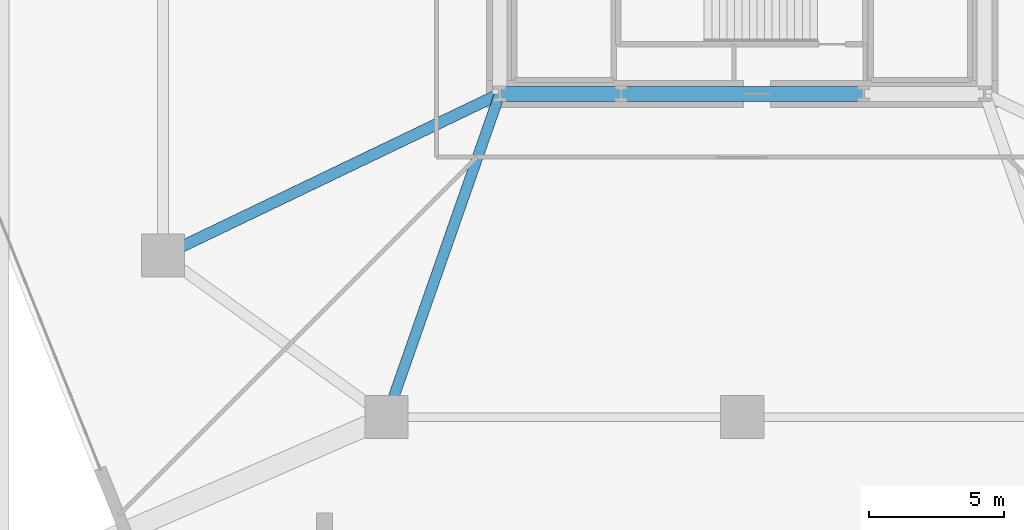
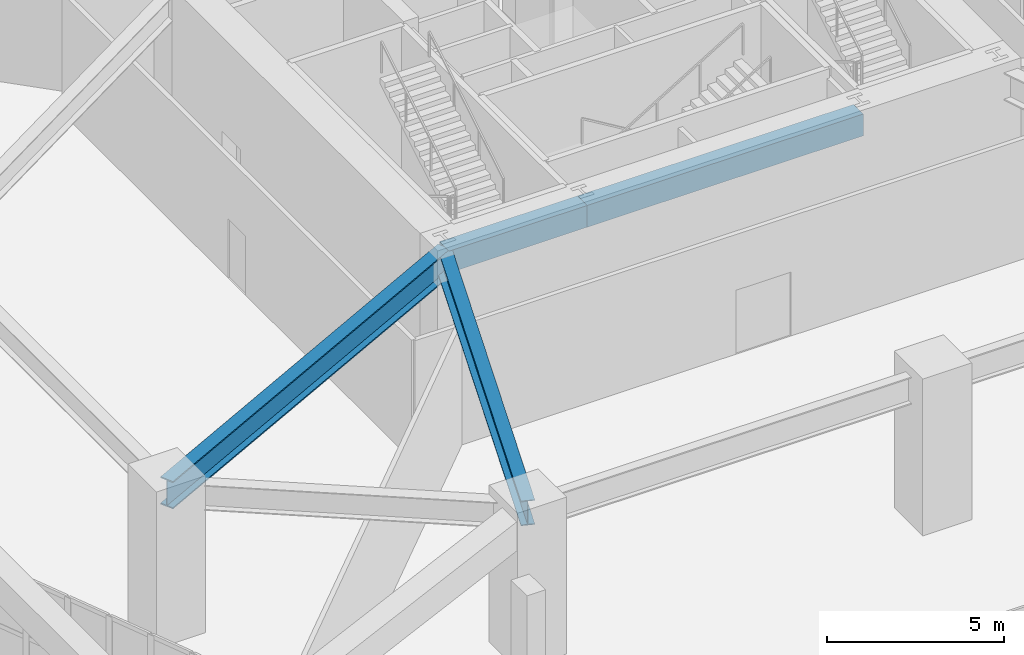
# One storey, part 6 of 34: 4 beams.
"""IFC4 building model written with IfcOpenShell, lengths in metres."""

from ifc_helpers import new_model, si_unit, direction, frame, origin, origin_2d, place, context, subcontext, project, spatial, rectangle, i_section, extrude, material, material_profile, profile_set, type_object, element, save


model = new_model("IFC4")

# Units and contexts
model_context = context("Model", 3, precision=1e-05, world=origin(), true_north=direction((0.0, 1.0)))
body_context = subcontext(model_context, "Body", "Model", "MODEL_VIEW")
ifc_project = project(units=[si_unit("LENGTHUNIT", "METRE"), si_unit("AREAUNIT", "SQUARE_METRE"), si_unit("VOLUMEUNIT", "CUBIC_METRE"), si_unit("PLANEANGLEUNIT", "RADIAN"), si_unit("MASSUNIT", "GRAM", prefix="KILO")], contexts=[model_context])

# Site, building, storey
site_placement = place(None, origin())
site = spatial("IfcSite", under=ifc_project, at=site_placement, CompositionType="ELEMENT")
building_placement = place(site_placement, origin())
building = spatial("IfcBuilding", under=site, at=building_placement, Name="Kilnhurst Terrace Hotel", CompositionType="ELEMENT")
storey_placement = place(building_placement, frame((0.0, 0.0, 6.0)))
storey = spatial("IfcBuildingStorey", under=building, at=storey_placement, Name="L01", CompositionType="ELEMENT", Elevation=6.0)

# Beams
ifc_material_1 = material(Name="Concrete C50/60", Category="concrete")
ifc_material_profile_1 = material_profile(ifc_material_1, rectangle(XDim=0.550048828125, YDim=0.75, at=origin_2d()), Name="RC550X750")
ifc_profile_set_1 = profile_set([ifc_material_profile_1], Name="Concrete C50/60")
beam_type_1 = type_object("IfcBeamType", Name="BM-SPN-550X750", PredefinedType="SPANDREL", material=ifc_profile_set_1)
beam_1_placement = place(storey_placement, frame((-9.0, -7.5, 4.705078125), z_axis=(1.0, 0.0, 0.0), x_axis=(0.0, 1.0, 0.0)))
element("IfcBeam", 1, at=beam_1_placement, inside=storey, type_object=beam_type_1, Name="L01 Core Tie Beam CC-SW to CC-SC1", PredefinedType="SPANDREL", context=body_context, shape_type="SweptSolid", body=[
    extrude(rectangle(XDim=0.550048828125, YDim=0.75, at=origin_2d()), origin(), (0.0, 0.0, 1.0), 4.5),
])
beam_2_placement = place(storey_placement, frame((-4.5, -7.5, 4.705078125), z_axis=(1.0, 0.0, 0.0), x_axis=(0.0, 1.0, 0.0)))
element("IfcBeam", 2, at=beam_2_placement, inside=storey, type_object=beam_type_1, Name="L01 Core Tie Beam CC-SC1 to CC-SC2", PredefinedType="SPANDREL", context=body_context, shape_type="SweptSolid", body=[
    extrude(rectangle(XDim=0.550048828125, YDim=0.75, at=origin_2d()), origin(), (0.0, 0.0, 1.0), 9.0),
])
ifc_material_2 = material(Name="Steel ASTM A992 Grade 50", Category="steel")
ifc_material_profile_2 = material_profile(ifc_material_2, i_section(OverallWidth=0.39990234375, OverallDepth=0.85546875, WebThickness=0.018310546875, FlangeThickness=0.029296875, at=origin_2d()), Name="W33X201")
ifc_profile_set_2 = profile_set([ifc_material_profile_2], Name="Steel ASTM A992 Grade 50")
beam_type_2 = type_object("IfcBeamType", Name="BM-STL-W33X201", PredefinedType="BEAM", material=ifc_profile_set_2)
beam_3_placement = place(storey_placement, frame((-13.199951171875, -19.5, 4.652099609375), z_axis=(0.330347003279, 0.943859553866, 0.0), x_axis=(-0.943859553866, 0.330347003279, 0.0)))
element("IfcBeam", 3, at=beam_3_placement, inside=storey, type_object=beam_type_2, Name="L01 Podium Frame Beam 15", PredefinedType="BEAM", context=body_context, shape_type="SweptSolid", body=[
    extrude(i_section(OverallWidth=0.39990234375, OverallDepth=0.85546875, WebThickness=0.018310546875, FlangeThickness=0.029296875, at=origin_2d()), origin(), (0.0, 0.0, 1.0), 12.7138671875),
])
ifc_material_profile_3 = material_profile(ifc_material_2, i_section(OverallWidth=0.423095703125, OverallDepth=0.9482421875, WebThickness=0.02392578125, FlangeThickness=0.042724609375, at=origin_2d()), Name="W36X302")
ifc_profile_set_3 = profile_set([ifc_material_profile_3], Name="Steel ASTM A992 Grade 50")
beam_type_3 = type_object("IfcBeamType", Name="BM-STL-W36X302", PredefinedType="BEAM", material=ifc_profile_set_3)
beam_4_placement = place(storey_placement, frame((-21.5, -13.5, 4.60595703125), z_axis=(0.901523057468, 0.432731067585, 0.0), x_axis=(-0.432731067585, 0.901523057468, 0.0)))
element("IfcBeam", 4, at=beam_4_placement, inside=storey, type_object=beam_type_3, Name="L01 Podium Frame Beam 10", PredefinedType="BEAM", context=body_context, shape_type="SweptSolid", body=[
    extrude(i_section(OverallWidth=0.423095703125, OverallDepth=0.9482421875, WebThickness=0.02392578125, FlangeThickness=0.042724609375, at=origin_2d()), origin(), (0.0, 0.0, 1.0), 13.865478515625),
])

save(model, "model.ifc")
